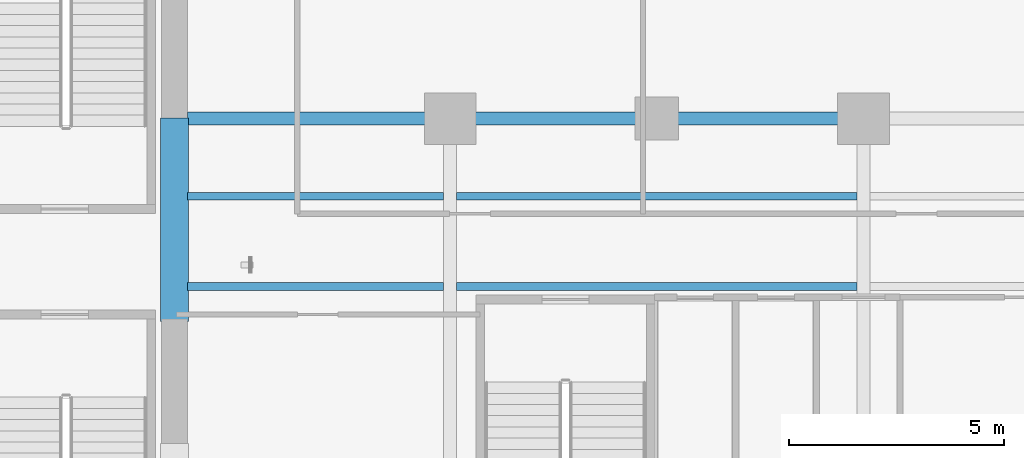
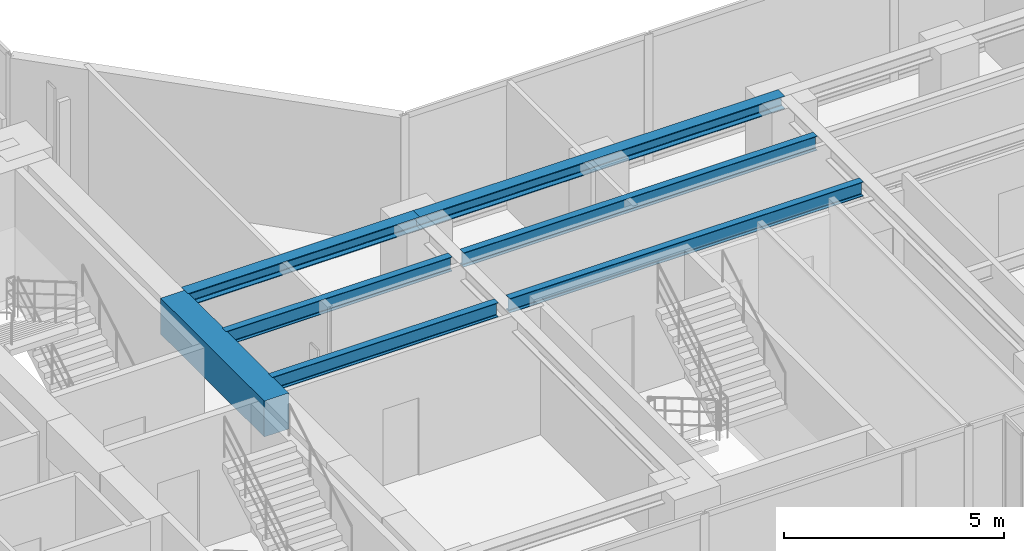
# One storey, part 6 of 27: 7 beams.
"""IFC4 building model written with IfcOpenShell, lengths in metres."""

from ifc_helpers import new_model, si_unit, direction, frame, origin, origin_2d, place, context, subcontext, project, spatial, rectangle, i_section, extrude, material, material_profile, profile_set, type_object, element, save


model = new_model("IFC4")

# Units and contexts
model_context = context("Model", 3, precision=1e-05, world=origin(), true_north=direction((0.0, 1.0)))
body_context = subcontext(model_context, "Body", "Model", "MODEL_VIEW")
ifc_project = project(units=[si_unit("LENGTHUNIT", "METRE"), si_unit("AREAUNIT", "SQUARE_METRE"), si_unit("VOLUMEUNIT", "CUBIC_METRE"), si_unit("PLANEANGLEUNIT", "RADIAN"), si_unit("MASSUNIT", "GRAM", prefix="KILO")], contexts=[model_context])

# Site, building, storey
site_placement = place(None, origin())
site = spatial("IfcSite", under=ifc_project, at=site_placement, CompositionType="ELEMENT")
building_placement = place(site_placement, origin())
building = spatial("IfcBuilding", under=site, at=building_placement, Name="Kolvaren Waterfront Exchange", CompositionType="ELEMENT")
storey_placement = place(building_placement, frame((0.0, 0.0, 161.39990234375)))
storey = spatial("IfcBuildingStorey", under=building, at=storey_placement, Name="L41", CompositionType="ELEMENT", Elevation=161.39990234375)

# Beams
ifc_material_1 = material(Name="Steel S355", Category="steel")
ifc_material_profile_1 = material_profile(ifc_material_1, i_section(OverallWidth=0.300048828125, OverallDepth=0.360107421875, WebThickness=0.012451171875, FlangeThickness=0.0224609375, FilletRadius=0.027099609375, at=origin_2d()), Name="HEB360")
ifc_profile_set_1 = profile_set([ifc_material_profile_1], Name="Steel S355")
beam_type_1 = type_object("IfcBeamType", Name="STR-BM-HEB360", PredefinedType="SPANDREL", material=ifc_profile_set_1)
beam_1_placement = place(storey_placement, frame((21.10009765625, 17.39990234375, 3.380126953125), z_axis=(1.0, 0.0, 0.0), x_axis=(0.0, 1.0, 0.0)))
element("IfcBeam", 1, at=beam_1_placement, inside=storey, type_object=beam_type_1, Name="L41 east-arm spandrel N1", PredefinedType="SPANDREL", context=body_context, shape_type="SweptSolid", body=[
    extrude(i_section(OverallWidth=0.300048828125, OverallDepth=0.360107421875, WebThickness=0.012451171875, FlangeThickness=0.0224609375, FilletRadius=0.027099609375, at=origin_2d()), origin(), (0.0, 0.0, 1.0), 6.099853515625),
])
beam_2_placement = place(storey_placement, frame((27.199951171875, 17.39990234375, 3.380126953125), z_axis=(1.0, 0.0, 0.0), x_axis=(0.0, 1.0, 0.0)))
element("IfcBeam", 2, at=beam_2_placement, inside=storey, type_object=beam_type_1, Name="L41 east-arm spandrel N2", PredefinedType="SPANDREL", context=body_context, shape_type="SweptSolid", body=[
    extrude(i_section(OverallWidth=0.300048828125, OverallDepth=0.360107421875, WebThickness=0.012451171875, FlangeThickness=0.0224609375, FilletRadius=0.027099609375, at=origin_2d()), origin(), (0.0, 0.0, 1.0), 9.60009765625),
])
ifc_material_profile_2 = material_profile(ifc_material_1, i_section(OverallWidth=0.179931640625, OverallDepth=0.39990234375, WebThickness=0.008544921875, FlangeThickness=0.013427734375, FilletRadius=0.02099609375, at=origin_2d()), Name="IPE400")
ifc_profile_set_2 = profile_set([ifc_material_profile_2], Name="Steel S355")
beam_type_2 = type_object("IfcBeamType", Name="STR-BM-IPE400", PredefinedType="JOIST", material=ifc_profile_set_2)
for number, where, z_axis, x_axis, name in (
    (3, (21.10009765625, 13.5, 3.360107421875), (1.0, 0.0, 0.0), (0.0, 1.0, 0.0), "L41 east-arm composite joist 1A"),
    (4, (21.10009765625, 15.60009765625, 3.360107421875), (1.0, 0.0, 0.0), (0.0, 1.0, 0.0), "L41 east-arm composite joist 1C"),
):
    element("IfcBeam", number, at=place(storey_placement, frame(where, z_axis=z_axis, x_axis=x_axis)), inside=storey, type_object=beam_type_2, Name=name, PredefinedType="JOIST", context=body_context, shape_type="SweptSolid", body=[
        extrude(i_section(OverallWidth=0.179931640625, OverallDepth=0.39990234375, WebThickness=0.008544921875, FlangeThickness=0.013427734375, FilletRadius=0.02099609375, at=origin_2d()), origin(), (0.0, 0.0, 1.0), 5.947998046875),
    ])
for number, where, z_axis, x_axis, name in (
    (5, (27.35205078125, 13.5, 3.360107421875), (1.0, 0.0, 0.0), (0.0, 1.0, 0.0), "L41 east-arm composite joist 2A"),
    (6, (27.35205078125, 15.60009765625, 3.360107421875), (1.0, 0.0, 0.0), (0.0, 1.0, 0.0), "L41 east-arm composite joist 2C"),
):
    element("IfcBeam", number, at=place(storey_placement, frame(where, z_axis=z_axis, x_axis=x_axis)), inside=storey, type_object=beam_type_2, Name=name, PredefinedType="JOIST", context=body_context, shape_type="SweptSolid", body=[
        extrude(i_section(OverallWidth=0.179931640625, OverallDepth=0.39990234375, WebThickness=0.008544921875, FlangeThickness=0.013427734375, FilletRadius=0.02099609375, at=origin_2d()), origin(), (0.0, 0.0, 1.0), 9.2958984375),
    ])
ifc_material_2 = material(Name="Concrete C60/75", Category="concrete")
ifc_material_profile_3 = material_profile(ifc_material_2, rectangle(XDim=0.64990234375, YDim=1.0, at=origin_2d()), Name="RC-CB-1000x650")
ifc_profile_set_3 = profile_set([ifc_material_profile_3], Name="Concrete C60/75")
beam_type_3 = type_object("IfcBeamType", Name="STR-CB-1000", PredefinedType="SPANDREL", material=ifc_profile_set_3)
beam_3_placement = place(storey_placement, frame((20.800048828125, 12.68994140625, 3.06005859375), z_axis=(0.0, 1.0, 0.0), x_axis=(-1.0, 0.0, 0.0)))
element("IfcBeam", 7, at=beam_3_placement, inside=storey, type_object=beam_type_3, Name="L41 core coupling beam 2", PredefinedType="SPANDREL", context=body_context, shape_type="SweptSolid", body=[
    extrude(rectangle(XDim=0.64990234375, YDim=1.0, at=origin_2d()), origin(), (0.0, 0.0, 1.0), 4.719970703125),
])

save(model, "model.ifc")
